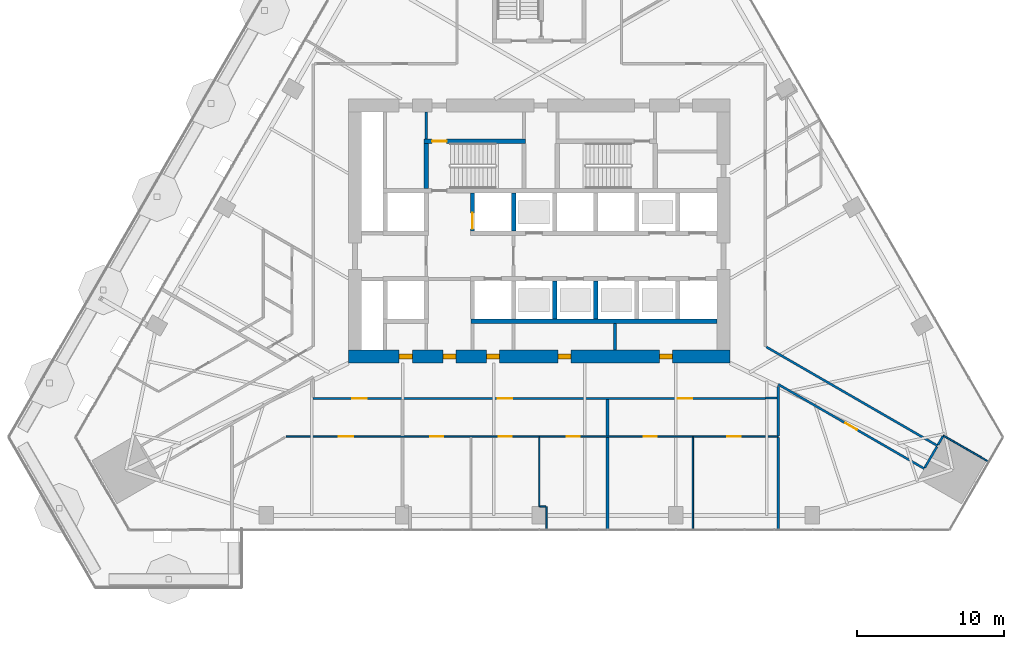
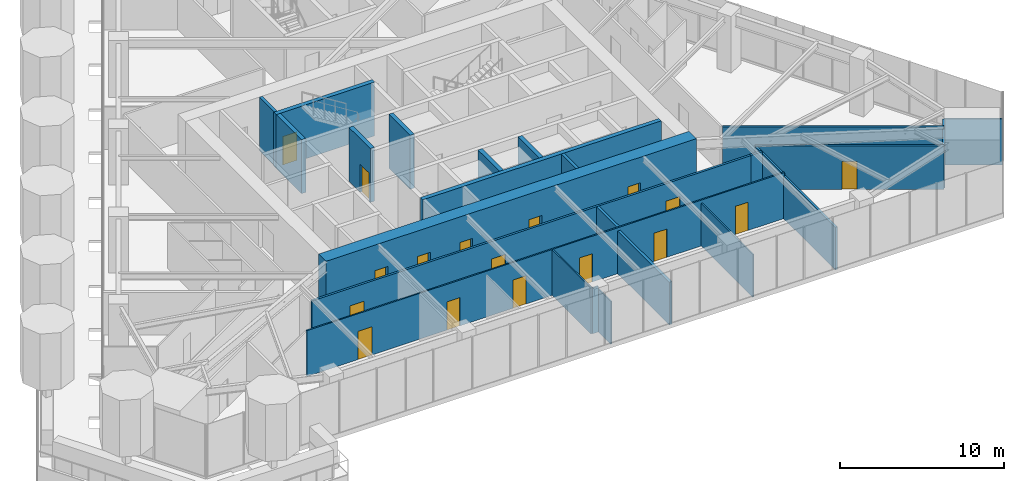
# One storey, part 18 of 25: 26 walls, 17 doors, 17 openings.
"""IFC4 building model written with IfcOpenShell, lengths in metres."""

from ifc_helpers import new_model, si_unit, direction, frame, frame_2d, origin, place, context, subcontext, project, spatial, rectangle, extrude, material, layer, layer_set, type_object, element, fill, save


model = new_model("IFC4")

# Units and contexts
model_context = context("Model", 3, precision=1e-05, world=origin(), true_north=direction((0.0, 1.0)))
body_context = subcontext(model_context, "Body", "Model", "MODEL_VIEW")
ifc_project = project(units=[si_unit("LENGTHUNIT", "METRE"), si_unit("AREAUNIT", "SQUARE_METRE"), si_unit("VOLUMEUNIT", "CUBIC_METRE"), si_unit("PLANEANGLEUNIT", "RADIAN"), si_unit("MASSUNIT", "GRAM", prefix="KILO")], contexts=[model_context])

# Site, building, storey
site_placement = place(None, origin())
site = spatial("IfcSite", under=ifc_project, at=site_placement, CompositionType="ELEMENT")
building_placement = place(site_placement, origin())
building = spatial("IfcBuilding", under=site, at=building_placement, Name="Firuza Gate Tower and Library", CompositionType="ELEMENT")
storey_placement = place(building_placement, frame((0.0, 0.0, 119.800048828125)))
storey = spatial("IfcBuildingStorey", under=building, at=storey_placement, Name="L27", CompositionType="ELEMENT", Elevation=119.800048828125)

# Walls
ifc_material_1 = material(Name="Plasterboard on steel studs", Category="steel")
ifc_layer_1 = layer(ifc_material_1, 0.199951171875)
ifc_layer_set_1 = layer_set([ifc_layer_1], Name="Core partition 200 EI 120")
wall_type_1 = type_object("IfcWallType", Name="Core partition 200 EI 120", PredefinedType="PARTITIONING", material=ifc_layer_set_1)
wall_1_placement = place(storey_placement, frame((80.175048828125, 66.89990234375, 0.0), z_axis=(0.0, 0.0, 1.0), x_axis=(0.0, 1.0, 0.0)))
element("IfcWall", 1, at=wall_1_placement, inside=storey, type_object=wall_type_1, Name="Core partition L27 15", PredefinedType="PARTITIONING", context=body_context, shape_type="SweptSolid", body=[
    extrude(rectangle(XDim=1.800048828125, YDim=0.199951171875, at=frame_2d((0.89990234375, 0.0))), origin(), (0.0, 0.0, 1.0), 4.0),
])
ifc_material_2 = material(Name="Plasterboard on steel studs", Category="steel")
ifc_layer_2 = layer(ifc_material_2, 0.199951171875)
ifc_layer_set_2 = layer_set([ifc_layer_2], Name="Core partition 200 EI 60")
wall_type_2 = type_object("IfcWallType", Name="Core partition 200 EI 60", PredefinedType="PARTITIONING", material=ifc_layer_set_2)
wall_2_placement = place(storey_placement, frame((67.300048828125, 81.280029296875, 0.0), z_axis=(0.0, 0.0, 1.0), x_axis=(0.0, 1.0, 0.0)))
element("IfcWall", 2, at=wall_2_placement, inside=storey, type_object=wall_type_2, Name="Core partition L27 9", PredefinedType="PARTITIONING", context=body_context, shape_type="SweptSolid", body=[
    extrude(rectangle(XDim=1.820068359375, YDim=0.199951171875, at=frame_2d((0.91015625, 0.0))), origin(), (0.0, 0.0, 1.0), 4.0),
])
ifc_material_3 = material(Name="Concrete C80/95", Category="concrete")
ifc_layer_3 = layer(ifc_material_3, 0.300048828125)
ifc_layer_set_3 = layer_set([ifc_layer_3], Name="Core wall 300 C80/95")
wall_type_3 = type_object("IfcWallType", Name="Core wall 300 C80/95", PredefinedType="SHEAR", material=ifc_layer_set_3)
wall_3_placement = place(storey_placement, frame((70.35009765625, 68.85009765625, 0.0), z_axis=(0.0, 0.0, 1.0), x_axis=(1.0, 0.0, 0.0)))
element("IfcWall", 3, at=wall_3_placement, inside=storey, type_object=wall_type_3, Name="Core wall L27 6", PredefinedType="SHEAR", context=body_context, shape_type="SweptSolid", body=[
    extrude(rectangle(XDim=16.75, YDim=0.300048828125, at=frame_2d((8.375, 0.0))), origin(), (0.0, 0.0, 1.0), 4.0),
])

# Wall, opening, door
wall_4_placement = place(storey_placement, frame((70.449951171875, 75.0, 0.0), z_axis=(0.0, 0.0, 1.0), x_axis=(0.0, 1.0, 0.0)))
wall_4 = element("IfcWall", 4, at=wall_4_placement, inside=storey, type_object=wall_type_3, Name="Core wall L27 16", PredefinedType="SHEAR", context=body_context, shape_type="SweptSolid", body=[
    extrude(rectangle(XDim=2.60009765625, YDim=0.300048828125, at=frame_2d((1.300048828125, 0.0))), origin(), (0.0, 0.0, 1.0), 4.0),
])
opening_1_placement = place(wall_4_placement, frame((0.14990234375, 0.0, 0.0)))
opening_1 = element("IfcOpeningElement", 5, at=opening_1_placement, cuts=wall_4, Name="Opening LD-FF2-L27", PredefinedType="OPENING", context=body_context, shape_type="SweptSolid", body=[
    extrude(rectangle(XDim=1.10009765625, YDim=2.10009765625, at=frame_2d((0.550048828125, 1.050048828125))), frame((0.0, 0.16015625, 0.0), z_axis=(0.0, -1.0, 0.0), x_axis=(1.0, 0.0, 0.0)), (0.0, 0.0, 1.0), 0.320068359375),
])
ifc_material_4 = material(Name="Stainless steel", Category="steel")
door_type_1 = type_object("IfcDoorType", Name="Lift landing door 1100x2100", OperationType="DOUBLE_DOOR_SLIDING", PredefinedType="DOOR", material=ifc_material_4)
door_1_placement = place(opening_1_placement, origin())
door_1 = element("IfcDoor", 6, at=door_1_placement, inside=storey, type_object=door_type_1, Name="Landing door FF2 L27", OperationType="DOUBLE_DOOR_SLIDING", OverallHeight=2.10009765625, OverallWidth=1.10009765625, PredefinedType="DOOR", context=body_context, shape_type="SweptSolid", body=[
    extrude(rectangle(XDim=1.10009765625, YDim=2.10009765625, at=frame_2d((0.550048828125, 1.050048828125))), frame((0.0, 0.02490234375, 0.0), z_axis=(0.0, -1.0, 0.0), x_axis=(1.0, 0.0, 0.0)), (0.0, 0.0, 1.0), 0.050048828125),
])
fill(opening_1, door_1)

# Walls
for number, where, z_axis, x_axis, name in (
    (7, (73.25, 75.0, 0.0), (0.0, 0.0, 1.0), (0.0, 1.0, 0.0), "Core wall L27 18"),
    (8, (76.050048828125, 69.0, 0.0), (0.0, 0.0, 1.0), (0.0, 1.0, 0.0), "Core wall L27 19"),
    (9, (78.85009765625, 69.0, 0.0), (0.0, 0.0, 1.0), (0.0, 1.0, 0.0), "Core wall L27 21"),
):
    element("IfcWall", number, at=place(storey_placement, frame(where, z_axis=z_axis, x_axis=x_axis)), inside=storey, type_object=wall_type_3, Name=name, PredefinedType="SHEAR", context=body_context, shape_type="SweptSolid", body=[
        extrude(rectangle(XDim=2.60009765625, YDim=0.300048828125, at=frame_2d((1.300048828125, 0.0))), origin(), (0.0, 0.0, 1.0), 4.0),
    ])

# Wall, opening, door
wall_5_placement = place(storey_placement, frame((67.14990234375, 81.1298828125, 0.0), z_axis=(0.0, 0.0, 1.0), x_axis=(1.0, 0.0, 0.0)))
wall_5 = element("IfcWall", 10, at=wall_5_placement, inside=storey, type_object=wall_type_3, Name="Core wall L27 28", PredefinedType="SHEAR", context=body_context, shape_type="SweptSolid", body=[
    extrude(rectangle(XDim=6.91015625, YDim=0.300048828125, at=frame_2d((3.455078125, 0.0))), origin(), (0.0, 0.0, 1.0), 4.0),
])
opening_2_placement = place(wall_5_placement, frame((0.544921875, 0.0, 0.0)))
opening_2 = element("IfcOpeningElement", 11, at=opening_2_placement, cuts=wall_5, Name="Opening L27-K13", PredefinedType="OPENING", context=body_context, shape_type="SweptSolid", body=[
    extrude(rectangle(XDim=1.0, YDim=2.10009765625, at=frame_2d((0.5, 1.050048828125))), frame((0.0, 0.16015625, 0.0), z_axis=(0.0, -1.0, 0.0), x_axis=(1.0, 0.0, 0.0)), (0.0, 0.0, 1.0), 0.320068359375),
])
ifc_material_5 = material(Name="Steel", Category="steel")
door_type_2 = type_object("IfcDoorType", Name="Fire door 1000x2100 FD90", OperationType="NOTDEFINED", PredefinedType="DOOR", material=ifc_material_5)
door_2_placement = place(opening_2_placement, origin())
door_2 = element("IfcDoor", 12, at=door_2_placement, inside=storey, type_object=door_type_2, Name="Door L27-K13", OperationType="SINGLE_SWING_RIGHT", OverallHeight=2.10009765625, OverallWidth=1.0, PredefinedType="DOOR", context=body_context, shape_type="SweptSolid", body=[
    extrude(rectangle(XDim=1.0, YDim=2.10009765625, at=frame_2d((0.5, 1.050048828125))), frame((0.0, 0.02490234375, 0.0), z_axis=(0.0, -1.0, 0.0), x_axis=(1.0, 0.0, 0.0)), (0.0, 0.0, 1.0), 0.050048828125),
])
fill(opening_2, door_2)

# Wall
wall_6_placement = place(storey_placement, frame((67.300048828125, 77.89990234375, 0.0), z_axis=(0.0, 0.0, 1.0), x_axis=(0.0, 1.0, 0.0)))
element("IfcWall", 13, at=wall_6_placement, inside=storey, type_object=wall_type_3, Name="Core wall L27 30", PredefinedType="SHEAR", context=body_context, shape_type="SweptSolid", body=[
    extrude(rectangle(XDim=3.080078125, YDim=0.300048828125, at=frame_2d((1.5400390625, 0.0))), origin(), (0.0, 0.0, 1.0), 4.0),
])

# Wall, openings, doors
ifc_material_6 = material(Name="Concrete C80/95", Category="concrete")
ifc_layer_4 = layer(ifc_material_6, 0.89990234375)
ifc_layer_set_4 = layer_set([ifc_layer_4], Name="Core wall 900 C80/95")
wall_type_4 = type_object("IfcWallType", Name="Core wall 900 C80/95", PredefinedType="SHEAR", material=ifc_layer_set_4)
wall_7_placement = place(storey_placement, frame((62.0, 66.449951171875, 0.0), z_axis=(0.0, 0.0, 1.0), x_axis=(1.0, 0.0, 0.0)))
wall_7 = element("IfcWall", 14, at=wall_7_placement, inside=storey, type_object=wall_type_4, Name="Core wall L27 1", PredefinedType="SHEAR", context=body_context, shape_type="SweptSolid", body=[
    extrude(rectangle(XDim=26.0, YDim=0.89990234375, at=frame_2d((13.0, 0.0))), origin(), (0.0, 0.0, 1.0), 4.0),
])
opening_3_placement = place(wall_7_placement, frame((3.449951171875, 0.0, 0.0)))
opening_3 = element("IfcOpeningElement", 15, at=opening_3_placement, cuts=wall_7, Name="Opening L27-K24", PredefinedType="OPENING", context=body_context, shape_type="SweptSolid", body=[
    extrude(rectangle(XDim=0.89990234375, YDim=2.10009765625, at=frame_2d((0.449951171875, 1.050048828125))), frame((0.0, 0.4599609375, 0.0), z_axis=(0.0, -1.0, 0.0), x_axis=(1.0, 0.0, 0.0)), (0.0, 0.0, 1.0), 0.919921875),
])
opening_4_placement = place(wall_7_placement, frame((6.425048828125, 0.0, 0.0)))
opening_4 = element("IfcOpeningElement", 16, at=opening_4_placement, cuts=wall_7, Name="Opening L27-K25", PredefinedType="OPENING", context=body_context, shape_type="SweptSolid", body=[
    extrude(rectangle(XDim=0.89990234375, YDim=2.10009765625, at=frame_2d((0.449951171875, 1.050048828125))), frame((0.0, 0.4599609375, 0.0), z_axis=(0.0, -1.0, 0.0), x_axis=(1.0, 0.0, 0.0)), (0.0, 0.0, 1.0), 0.919921875),
])
opening_5_placement = place(wall_7_placement, frame((9.39990234375, 0.0, 0.0)))
opening_5 = element("IfcOpeningElement", 17, at=opening_5_placement, cuts=wall_7, Name="Opening L27-K26", PredefinedType="OPENING", context=body_context, shape_type="SweptSolid", body=[
    extrude(rectangle(XDim=0.89990234375, YDim=2.10009765625, at=frame_2d((0.449951171875, 1.050048828125))), frame((0.0, 0.4599609375, 0.0), z_axis=(0.0, -1.0, 0.0), x_axis=(1.0, 0.0, 0.0)), (0.0, 0.0, 1.0), 0.919921875),
])
opening_6_placement = place(wall_7_placement, frame((14.262451171875, 0.0, 0.0)))
opening_6 = element("IfcOpeningElement", 18, at=opening_6_placement, cuts=wall_7, Name="Opening L27-K27", PredefinedType="OPENING", context=body_context, shape_type="SweptSolid", body=[
    extrude(rectangle(XDim=0.89990234375, YDim=2.10009765625, at=frame_2d((0.449951171875, 1.050048828125))), frame((0.0, 0.4599609375, 0.0), z_axis=(0.0, -1.0, 0.0), x_axis=(1.0, 0.0, 0.0)), (0.0, 0.0, 1.0), 0.919921875),
])
opening_7_placement = place(wall_7_placement, frame((21.1875, 0.0, 0.0)))
opening_7 = element("IfcOpeningElement", 19, at=opening_7_placement, cuts=wall_7, Name="Opening L27-K28", PredefinedType="OPENING", context=body_context, shape_type="SweptSolid", body=[
    extrude(rectangle(XDim=0.89990234375, YDim=2.10009765625, at=frame_2d((0.449951171875, 1.050048828125))), frame((0.0, 0.4599609375, 0.0), z_axis=(0.0, -1.0, 0.0), x_axis=(1.0, 0.0, 0.0)), (0.0, 0.0, 1.0), 0.919921875),
])
ifc_material_7 = material(Name="Steel", Category="steel")
door_type_3 = type_object("IfcDoorType", Name="Fire door 900x2100 FD30S", OperationType="NOTDEFINED", PredefinedType="DOOR", material=ifc_material_7)
door_3_placement = place(opening_3_placement, origin())
door_3 = element("IfcDoor", 20, at=door_3_placement, inside=storey, type_object=door_type_3, Name="Door L27-K24", OperationType="SINGLE_SWING_LEFT", OverallHeight=2.10009765625, OverallWidth=0.89990234375, PredefinedType="DOOR", context=body_context, shape_type="SweptSolid", body=[
    extrude(rectangle(XDim=0.89990234375, YDim=2.10009765625, at=frame_2d((0.449951171875, 1.050048828125))), frame((0.0, 0.169921875, 0.0), z_axis=(0.0, -1.0, 0.0), x_axis=(1.0, 0.0, 0.0)), (0.0, 0.0, 1.0), 0.33984375),
])
fill(opening_3, door_3)
door_4_placement = place(opening_4_placement, origin())
door_4 = element("IfcDoor", 21, at=door_4_placement, inside=storey, type_object=door_type_3, Name="Door L27-K25", OperationType="SINGLE_SWING_RIGHT", OverallHeight=2.10009765625, OverallWidth=0.89990234375, PredefinedType="DOOR", context=body_context, shape_type="SweptSolid", body=[
    extrude(rectangle(XDim=0.89990234375, YDim=2.10009765625, at=frame_2d((0.449951171875, 1.050048828125))), frame((0.0, 0.169921875, 0.0), z_axis=(0.0, -1.0, 0.0), x_axis=(1.0, 0.0, 0.0)), (0.0, 0.0, 1.0), 0.33984375),
])
fill(opening_4, door_4)
door_5_placement = place(opening_5_placement, origin())
door_5 = element("IfcDoor", 22, at=door_5_placement, inside=storey, type_object=door_type_3, Name="Door L27-K26", OperationType="SINGLE_SWING_LEFT", OverallHeight=2.10009765625, OverallWidth=0.89990234375, PredefinedType="DOOR", context=body_context, shape_type="SweptSolid", body=[
    extrude(rectangle(XDim=0.89990234375, YDim=2.10009765625, at=frame_2d((0.449951171875, 1.050048828125))), frame((0.0, 0.169921875, 0.0), z_axis=(0.0, -1.0, 0.0), x_axis=(1.0, 0.0, 0.0)), (0.0, 0.0, 1.0), 0.33984375),
])
fill(opening_5, door_5)
door_6_placement = place(opening_6_placement, origin())
door_6 = element("IfcDoor", 23, at=door_6_placement, inside=storey, type_object=door_type_3, Name="Door L27-K27", OperationType="SINGLE_SWING_RIGHT", OverallHeight=2.10009765625, OverallWidth=0.89990234375, PredefinedType="DOOR", context=body_context, shape_type="SweptSolid", body=[
    extrude(rectangle(XDim=0.89990234375, YDim=2.10009765625, at=frame_2d((0.449951171875, 1.050048828125))), frame((0.0, 0.169921875, 0.0), z_axis=(0.0, -1.0, 0.0), x_axis=(1.0, 0.0, 0.0)), (0.0, 0.0, 1.0), 0.33984375),
])
fill(opening_6, door_6)
door_7_placement = place(opening_7_placement, origin())
door_7 = element("IfcDoor", 24, at=door_7_placement, inside=storey, type_object=door_type_3, Name="Door L27-K28", OperationType="SINGLE_SWING_LEFT", OverallHeight=2.10009765625, OverallWidth=0.89990234375, PredefinedType="DOOR", context=body_context, shape_type="SweptSolid", body=[
    extrude(rectangle(XDim=0.89990234375, YDim=2.10009765625, at=frame_2d((0.449951171875, 1.050048828125))), frame((0.0, 0.169921875, 0.0), z_axis=(0.0, -1.0, 0.0), x_axis=(1.0, 0.0, 0.0)), (0.0, 0.0, 1.0), 0.33984375),
])
fill(opening_7, door_7)

ifc_material_8 = material(Name="Gypsum board partition")
ifc_layer_5 = layer(ifc_material_8, 0.14990234375)
ifc_layer_set_5 = layer_set([ifc_layer_5], Name="Corridor wall 150 double board on steel studs")
wall_type_5 = type_object("IfcWallType", Name="Corridor wall 150 double board on steel studs", PredefinedType="PARTITIONING", material=ifc_layer_set_5)
wall_8_placement = place(storey_placement, frame((90.3994140625, 63.60009765625, 0.0), z_axis=(0.0, 0.0, 1.0), x_axis=(-1.0, 0.0, 0.0)))
wall_8 = element("IfcWall", 25, at=wall_8_placement, inside=storey, type_object=wall_type_5, Name="f:L27:w003", PredefinedType="PARTITIONING", context=body_context, shape_type="SweptSolid", body=[
    extrude(rectangle(XDim=30.79931640625, YDim=0.14990234375, at=frame_2d((15.399658203125, 0.0))), origin(), (0.0, 0.0, 1.0), 3.39990234375),
])
opening_8_placement = place(wall_8_placement, frame((4.97509765625, 0.0, 0.0)))
opening_8 = element("IfcOpeningElement", 26, at=opening_8_placement, cuts=wall_8, Name="Opening L27-07", PredefinedType="OPENING", context=body_context, shape_type="SweptSolid", body=[
    extrude(rectangle(XDim=1.0, YDim=2.10009765625, at=frame_2d((0.5, 1.050048828125))), frame((0.0, 0.0849609375, 0.0), z_axis=(0.0, -1.0, 0.0), x_axis=(1.0, 0.0, 0.0)), (0.0, 0.0, 1.0), 0.169921875),
])
opening_9_placement = place(wall_8_placement, frame((17.225830078125, 0.0, 0.0)))
opening_9 = element("IfcOpeningElement", 27, at=opening_9_placement, cuts=wall_8, Name="Opening L27-08", PredefinedType="OPENING", context=body_context, shape_type="SweptSolid", body=[
    extrude(rectangle(XDim=1.0, YDim=2.10009765625, at=frame_2d((0.5, 1.050048828125))), frame((0.0, 0.0849609375, 0.0), z_axis=(0.0, -1.0, 0.0), x_axis=(1.0, 0.0, 0.0)), (0.0, 0.0, 1.0), 0.169921875),
])
opening_10_placement = place(wall_8_placement, frame((27.150634765625, 0.0, 0.0)))
opening_10 = element("IfcOpeningElement", 28, at=opening_10_placement, cuts=wall_8, Name="Opening L27-09", PredefinedType="OPENING", context=body_context, shape_type="SweptSolid", body=[
    extrude(rectangle(XDim=1.0, YDim=2.10009765625, at=frame_2d((0.5, 1.050048828125))), frame((0.0, 0.0849609375, 0.0), z_axis=(0.0, -1.0, 0.0), x_axis=(1.0, 0.0, 0.0)), (0.0, 0.0, 1.0), 0.169921875),
])
ifc_material_9 = material(Name="Steel door and timber leaf", Category="steel")
door_type_4 = type_object("IfcDoorType", Name="Fire door 1000 x 2100 steel frame, timber leaf", OperationType="NOTDEFINED", PredefinedType="DOOR", material=ifc_material_9)
door_8_placement = place(opening_8_placement, origin())
door_8 = element("IfcDoor", 29, at=door_8_placement, inside=storey, type_object=door_type_4, Name="f:L27:d007", OperationType="SINGLE_SWING_RIGHT", OverallHeight=2.10009765625, OverallWidth=1.0, PredefinedType="DOOR", context=body_context, shape_type="SweptSolid", body=[
    extrude(rectangle(XDim=1.0, YDim=2.10009765625, at=frame_2d((0.5, 1.050048828125))), frame((0.0, 0.02490234375, 0.0), z_axis=(0.0, -1.0, 0.0), x_axis=(1.0, 0.0, 0.0)), (0.0, 0.0, 1.0), 0.050048828125),
])
fill(opening_8, door_8)
door_9_placement = place(opening_9_placement, origin())
door_9 = element("IfcDoor", 30, at=door_9_placement, inside=storey, type_object=door_type_4, Name="f:L27:d008", OperationType="SINGLE_SWING_RIGHT", OverallHeight=2.10009765625, OverallWidth=1.0, PredefinedType="DOOR", context=body_context, shape_type="SweptSolid", body=[
    extrude(rectangle(XDim=1.0, YDim=2.10009765625, at=frame_2d((0.5, 1.050048828125))), frame((0.0, 0.02490234375, 0.0), z_axis=(0.0, -1.0, 0.0), x_axis=(1.0, 0.0, 0.0)), (0.0, 0.0, 1.0), 0.050048828125),
])
fill(opening_9, door_9)
door_10_placement = place(opening_10_placement, origin())
door_10 = element("IfcDoor", 31, at=door_10_placement, inside=storey, type_object=door_type_4, Name="f:L27:d009", OperationType="SINGLE_SWING_LEFT", OverallHeight=2.10009765625, OverallWidth=1.0, PredefinedType="DOOR", context=body_context, shape_type="SweptSolid", body=[
    extrude(rectangle(XDim=1.0, YDim=2.10009765625, at=frame_2d((0.5, 1.050048828125))), frame((0.0, 0.02490234375, 0.0), z_axis=(0.0, -1.0, 0.0), x_axis=(1.0, 0.0, 0.0)), (0.0, 0.0, 1.0), 0.050048828125),
])
fill(opening_10, door_10)

# Walls
wall_9_placement = place(storey_placement, frame((90.39990234375, 63.618896484375, 0.0), z_axis=(0.0, 0.0, 1.0), x_axis=(1.0, 0.0, 0.0)))
element("IfcWall", 32, at=wall_9_placement, inside=storey, type_object=wall_type_5, Name="f:L27:w004", PredefinedType="PARTITIONING", context=body_context, shape_type="SweptSolid", body=[
    extrude(rectangle(XDim=0.808837890625, YDim=0.14990234375, at=frame_2d((0.404296875, 0.0))), origin(), (0.0, 0.0, 1.0), 3.39990234375),
])
wall_10_placement = place(storey_placement, frame((101.271728515625, 58.8798828125, 0.0), z_axis=(0.0, 0.0, 1.0), x_axis=(0.500038426333, 0.866003217194, 0.0)))
element("IfcWall", 33, at=wall_10_placement, inside=storey, type_object=wall_type_5, Name="f:L27:w025", PredefinedType="PARTITIONING", context=body_context, shape_type="SweptSolid", body=[
    extrude(rectangle(XDim=1.649658203125, YDim=0.14990234375, at=frame_2d((0.82470703125, 0.0))), origin(), (0.0, 0.0, 1.0), 3.2470703125),
])
wall_11_placement = place(storey_placement, frame((91.283935546875, 54.666259765625, 0.0), z_axis=(0.0, 0.0, 1.0), x_axis=(0.0, 1.0, 0.0)))
element("IfcWall", 34, at=wall_11_placement, inside=storey, type_object=wall_type_5, Name="f:L27:w028", PredefinedType="PARTITIONING", context=body_context, shape_type="SweptSolid", body=[
    extrude(rectangle(XDim=6.28369140625, YDim=0.14990234375, at=frame_2d((3.141845703125, 0.0))), origin(), (0.0, 0.0, 1.0), 3.1650390625),
])
wall_12_placement = place(storey_placement, frame((102.134033203125, 60.37353515625, 0.0), z_axis=(0.0, 0.0, 1.0), x_axis=(-0.86602824724, 0.499995074959, 0.0)))
element("IfcWall", 35, at=wall_12_placement, inside=storey, type_object=wall_type_5, Name="f:L27:w054", PredefinedType="PARTITIONING", context=body_context, shape_type="SweptSolid", body=[
    extrude(rectangle(XDim=13.462646484375, YDim=0.14990234375, at=frame_2d((6.7314453125, 0.0))), origin(), (0.0, 0.0, 1.0), 3.39990234375),
])

# Wall, opening, door
wall_13_placement = place(storey_placement, frame((101.233642578125, 58.81494140625, 0.0), z_axis=(0.0, 0.0, 1.0), x_axis=(-0.866028466704, 0.49999469483, 0.0)))
wall_13 = element("IfcWall", 36, at=wall_13_placement, inside=storey, type_object=wall_type_5, Name="f:L27:w055", PredefinedType="PARTITIONING", context=body_context, shape_type="SweptSolid", body=[
    extrude(rectangle(XDim=11.48876953125, YDim=0.14990234375, at=frame_2d((5.744384765625, 0.0))), origin(), (0.0, 0.0, 1.0), 3.2470703125),
])
opening_11_placement = place(wall_13_placement, frame((5.29443359375, 0.0, 0.0)))
opening_11 = element("IfcOpeningElement", 37, at=opening_11_placement, cuts=wall_13, Name="Opening L27-27", PredefinedType="OPENING", context=body_context, shape_type="SweptSolid", body=[
    extrude(rectangle(XDim=0.89990234375, YDim=2.10009765625, at=frame_2d((0.449951171875, 1.050048828125))), frame((0.0, 0.0849609375, 0.0), z_axis=(0.0, -1.0, 0.0), x_axis=(1.0, 0.0, 0.0)), (0.0, 0.0, 1.0), 0.169921875),
])
ifc_material_10 = material(Name="Steel door and timber leaf", Category="steel")
door_type_5 = type_object("IfcDoorType", Name="Fire door 900 x 2100 steel frame, timber leaf", OperationType="NOTDEFINED", PredefinedType="DOOR", material=ifc_material_10)
door_11_placement = place(opening_11_placement, origin())
door_11 = element("IfcDoor", 38, at=door_11_placement, inside=storey, type_object=door_type_5, Name="f:L27:d027", OperationType="SINGLE_SWING_RIGHT", OverallHeight=2.10009765625, OverallWidth=0.89990234375, PredefinedType="DOOR", context=body_context, shape_type="SweptSolid", body=[
    extrude(rectangle(XDim=0.89990234375, YDim=2.10009765625, at=frame_2d((0.449951171875, 1.050048828125))), frame((0.0, 0.02490234375, 0.0), z_axis=(0.0, -1.0, 0.0), x_axis=(1.0, 0.0, 0.0)), (0.0, 0.0, 1.0), 0.050048828125),
])
fill(opening_11, door_11)

# Walls
wall_14_placement = place(storey_placement, frame((91.283935546875, 61.050048828125, 0.0), z_axis=(0.0, 0.0, 1.0), x_axis=(0.0, 1.0, 0.0)))
element("IfcWall", 39, at=wall_14_placement, inside=storey, type_object=wall_type_5, Name="f:L27:w061", PredefinedType="PARTITIONING", context=body_context, shape_type="SweptSolid", body=[
    extrude(rectangle(XDim=3.37255859375, YDim=0.14990234375, at=frame_2d((1.686279296875, 0.0))), origin(), (0.0, 0.0, 1.0), 3.2470703125),
])
wall_15_placement = place(storey_placement, frame((102.171630859375, 60.4384765625, 0.0), z_axis=(0.0, 0.0, 1.0), x_axis=(0.499994068514, 0.866028828302, 0.0)))
element("IfcWall", 40, at=wall_15_placement, inside=storey, type_object=wall_type_5, Name="f:L27:w065", PredefinedType="PARTITIONING", context=body_context, shape_type="SweptSolid", body=[
    extrude(rectangle(XDim=0.67431640625, YDim=0.14990234375, at=frame_2d((0.337158203125, 0.0))), origin(), (0.0, 0.0, 1.0), 3.39990234375),
])
ifc_material_11 = material(Name="Gypsum board partition")
ifc_layer_6 = layer(ifc_material_11, 0.199951171875)
ifc_layer_set_6 = layer_set([ifc_layer_6], Name="Demising wall 200 acoustic double stud")
wall_type_6 = type_object("IfcWallType", Name="Demising wall 200 acoustic double stud", PredefinedType="PARTITIONING", material=ifc_layer_set_6)
wall_16_placement = place(storey_placement, frame((79.653076171875, 54.666259765625, 0.0), z_axis=(0.0, 0.0, 1.0), x_axis=(0.0, 1.0, 0.0)))
element("IfcWall", 41, at=wall_16_placement, inside=storey, type_object=wall_type_6, Name="f:L27:w032", PredefinedType="PARTITIONING", context=body_context, shape_type="SweptSolid", body=[
    extrude(rectangle(XDim=6.28369140625, YDim=0.199951171875, at=frame_2d((3.141845703125, 0.0))), origin(), (0.0, 0.0, 1.0), 3.1650390625),
])
wall_17_placement = place(storey_placement, frame((79.653076171875, 61.050048828125, 0.0), z_axis=(0.0, 0.0, 1.0), x_axis=(0.0, 1.0, 0.0)))
element("IfcWall", 42, at=wall_17_placement, inside=storey, type_object=wall_type_6, Name="f:L27:w067", PredefinedType="PARTITIONING", context=body_context, shape_type="SweptSolid", body=[
    extrude(rectangle(XDim=2.474853515625, YDim=0.199951171875, at=frame_2d((1.2373046875, 0.0))), origin(), (0.0, 0.0, 1.0), 3.39990234375),
])
ifc_material_12 = material(Name="Gypsum board partition")
ifc_layer_7 = layer(ifc_material_12, 0.10009765625)
ifc_layer_set_7 = layer_set([ifc_layer_7], Name="Partition 100 gypsum board on steel studs")
wall_type_7 = type_object("IfcWallType", Name="Partition 100 gypsum board on steel studs", PredefinedType="PARTITIONING", material=ifc_layer_set_7)
wall_18_placement = place(storey_placement, frame((75.050048828125, 56.22607421875, 0.0), z_axis=(0.0, 0.0, 1.0), x_axis=(1.0, 0.0, 0.0)))
element("IfcWall", 43, at=wall_18_placement, inside=storey, type_object=wall_type_7, Name="f:L27:w001", PredefinedType="PARTITIONING", context=body_context, shape_type="SweptSolid", body=[
    extrude(rectangle(XDim=0.39990234375, YDim=0.10009765625, at=frame_2d((0.199951171875, 0.0))), origin(), (0.0, 0.0, 1.0), 3.39990234375),
])

# Wall, openings, doors
wall_19_placement = place(storey_placement, frame((57.751220703125, 61.0, 0.0), z_axis=(0.0, 0.0, 1.0), x_axis=(1.0, 0.0, 0.0)))
wall_19 = element("IfcWall", 44, at=wall_19_placement, inside=storey, type_object=wall_type_7, Name="f:L27:w002", PredefinedType="PARTITIONING", context=body_context, shape_type="SweptSolid", body=[
    extrude(rectangle(XDim=33.53271484375, YDim=0.10009765625, at=frame_2d((16.766357421875, 0.0))), origin(), (0.0, 0.0, 1.0), 3.39990234375),
])
opening_12_placement = place(wall_19_placement, frame((3.57177734375, 0.0, 0.0)))
opening_12 = element("IfcOpeningElement", 45, at=opening_12_placement, cuts=wall_19, Name="Opening L27-01", PredefinedType="OPENING", context=body_context, shape_type="SweptSolid", body=[
    extrude(rectangle(XDim=1.0, YDim=2.10009765625, at=frame_2d((0.5, 1.050048828125))), frame((0.0, 0.06005859375, 0.0), z_axis=(0.0, -1.0, 0.0), x_axis=(1.0, 0.0, 0.0)), (0.0, 0.0, 1.0), 0.1201171875),
])
opening_13_placement = place(wall_19_placement, frame((9.821533203125, 0.0, 0.0)))
opening_13 = element("IfcOpeningElement", 46, at=opening_13_placement, cuts=wall_19, Name="Opening L27-02", PredefinedType="OPENING", context=body_context, shape_type="SweptSolid", body=[
    extrude(rectangle(XDim=0.89990234375, YDim=2.10009765625, at=frame_2d((0.449951171875, 1.050048828125))), frame((0.0, 0.06005859375, 0.0), z_axis=(0.0, -1.0, 0.0), x_axis=(1.0, 0.0, 0.0)), (0.0, 0.0, 1.0), 0.1201171875),
])
opening_14_placement = place(wall_19_placement, frame((14.472412109375, 0.0, 0.0)))
opening_14 = element("IfcOpeningElement", 47, at=opening_14_placement, cuts=wall_19, Name="Opening L27-03", PredefinedType="OPENING", context=body_context, shape_type="SweptSolid", body=[
    extrude(rectangle(XDim=0.89990234375, YDim=2.10009765625, at=frame_2d((0.449951171875, 1.050048828125))), frame((0.0, 0.06005859375, 0.0), z_axis=(0.0, -1.0, 0.0), x_axis=(1.0, 0.0, 0.0)), (0.0, 0.0, 1.0), 0.1201171875),
])
opening_15_placement = place(wall_19_placement, frame((19.12353515625, 0.0, 0.0)))
opening_15 = element("IfcOpeningElement", 48, at=opening_15_placement, cuts=wall_19, Name="Opening L27-04", PredefinedType="OPENING", context=body_context, shape_type="SweptSolid", body=[
    extrude(rectangle(XDim=0.89990234375, YDim=2.10009765625, at=frame_2d((0.449951171875, 1.050048828125))), frame((0.0, 0.06005859375, 0.0), z_axis=(0.0, -1.0, 0.0), x_axis=(1.0, 0.0, 0.0)), (0.0, 0.0, 1.0), 0.1201171875),
])
opening_16_placement = place(wall_19_placement, frame((24.360595703125, 0.0, 0.0)))
opening_16 = element("IfcOpeningElement", 49, at=opening_16_placement, cuts=wall_19, Name="Opening L27-05", PredefinedType="OPENING", context=body_context, shape_type="SweptSolid", body=[
    extrude(rectangle(XDim=0.89990234375, YDim=2.10009765625, at=frame_2d((0.449951171875, 1.050048828125))), frame((0.0, 0.06005859375, 0.0), z_axis=(0.0, -1.0, 0.0), x_axis=(1.0, 0.0, 0.0)), (0.0, 0.0, 1.0), 0.1201171875),
])
opening_17_placement = place(wall_19_placement, frame((30.0732421875, 0.0, 0.0)))
opening_17 = element("IfcOpeningElement", 50, at=opening_17_placement, cuts=wall_19, Name="Opening L27-06", PredefinedType="OPENING", context=body_context, shape_type="SweptSolid", body=[
    extrude(rectangle(XDim=0.89990234375, YDim=2.10009765625, at=frame_2d((0.449951171875, 1.050048828125))), frame((0.0, 0.06005859375, 0.0), z_axis=(0.0, -1.0, 0.0), x_axis=(1.0, 0.0, 0.0)), (0.0, 0.0, 1.0), 0.1201171875),
])
ifc_material_13 = material(Name="Timber door", Category="wood")
door_type_6 = type_object("IfcDoorType", Name="Door 1000 x 2100 timber leaf", OperationType="NOTDEFINED", PredefinedType="DOOR", material=ifc_material_13)
door_12_placement = place(opening_12_placement, origin())
door_12 = element("IfcDoor", 51, at=door_12_placement, inside=storey, type_object=door_type_6, Name="f:L27:d001", OperationType="SINGLE_SWING_LEFT", OverallHeight=2.10009765625, OverallWidth=1.0, PredefinedType="DOOR", context=body_context, shape_type="SweptSolid", body=[
    extrude(rectangle(XDim=1.0, YDim=2.10009765625, at=frame_2d((0.5, 1.050048828125))), frame((0.0, 0.02490234375, 0.0), z_axis=(0.0, -1.0, 0.0), x_axis=(1.0, 0.0, 0.0)), (0.0, 0.0, 1.0), 0.050048828125),
])
fill(opening_12, door_12)
ifc_material_14 = material(Name="Timber door", Category="wood")
door_type_7 = type_object("IfcDoorType", Name="Door 900 x 2100 timber leaf", OperationType="NOTDEFINED", PredefinedType="DOOR", material=ifc_material_14)
door_13_placement = place(opening_13_placement, origin())
door_13 = element("IfcDoor", 52, at=door_13_placement, inside=storey, type_object=door_type_7, Name="f:L27:d002", OperationType="SINGLE_SWING_RIGHT", OverallHeight=2.10009765625, OverallWidth=0.89990234375, PredefinedType="DOOR", context=body_context, shape_type="SweptSolid", body=[
    extrude(rectangle(XDim=0.89990234375, YDim=2.10009765625, at=frame_2d((0.449951171875, 1.050048828125))), frame((0.0, 0.02490234375, 0.0), z_axis=(0.0, -1.0, 0.0), x_axis=(1.0, 0.0, 0.0)), (0.0, 0.0, 1.0), 0.050048828125),
])
fill(opening_13, door_13)
door_14_placement = place(opening_14_placement, origin())
door_14 = element("IfcDoor", 53, at=door_14_placement, inside=storey, type_object=door_type_7, Name="f:L27:d003", OperationType="SINGLE_SWING_LEFT", OverallHeight=2.10009765625, OverallWidth=0.89990234375, PredefinedType="DOOR", context=body_context, shape_type="SweptSolid", body=[
    extrude(rectangle(XDim=0.89990234375, YDim=2.10009765625, at=frame_2d((0.449951171875, 1.050048828125))), frame((0.0, 0.02490234375, 0.0), z_axis=(0.0, -1.0, 0.0), x_axis=(1.0, 0.0, 0.0)), (0.0, 0.0, 1.0), 0.050048828125),
])
fill(opening_14, door_14)
door_15_placement = place(opening_15_placement, origin())
door_15 = element("IfcDoor", 54, at=door_15_placement, inside=storey, type_object=door_type_7, Name="f:L27:d004", OperationType="SINGLE_SWING_RIGHT", OverallHeight=2.10009765625, OverallWidth=0.89990234375, PredefinedType="DOOR", context=body_context, shape_type="SweptSolid", body=[
    extrude(rectangle(XDim=0.89990234375, YDim=2.10009765625, at=frame_2d((0.449951171875, 1.050048828125))), frame((0.0, 0.02490234375, 0.0), z_axis=(0.0, -1.0, 0.0), x_axis=(1.0, 0.0, 0.0)), (0.0, 0.0, 1.0), 0.050048828125),
])
fill(opening_15, door_15)
door_16_placement = place(opening_16_placement, origin())
door_16 = element("IfcDoor", 55, at=door_16_placement, inside=storey, type_object=door_type_7, Name="f:L27:d005", OperationType="SINGLE_SWING_RIGHT", OverallHeight=2.10009765625, OverallWidth=0.89990234375, PredefinedType="DOOR", context=body_context, shape_type="SweptSolid", body=[
    extrude(rectangle(XDim=0.89990234375, YDim=2.10009765625, at=frame_2d((0.449951171875, 1.050048828125))), frame((0.0, 0.02490234375, 0.0), z_axis=(0.0, -1.0, 0.0), x_axis=(1.0, 0.0, 0.0)), (0.0, 0.0, 1.0), 0.050048828125),
])
fill(opening_16, door_16)
door_17_placement = place(opening_17_placement, origin())
door_17 = element("IfcDoor", 56, at=door_17_placement, inside=storey, type_object=door_type_7, Name="f:L27:d006", OperationType="SINGLE_SWING_LEFT", OverallHeight=2.10009765625, OverallWidth=0.89990234375, PredefinedType="DOOR", context=body_context, shape_type="SweptSolid", body=[
    extrude(rectangle(XDim=0.89990234375, YDim=2.10009765625, at=frame_2d((0.449951171875, 1.050048828125))), frame((0.0, 0.02490234375, 0.0), z_axis=(0.0, -1.0, 0.0), x_axis=(1.0, 0.0, 0.0)), (0.0, 0.0, 1.0), 0.050048828125),
])
fill(opening_17, door_17)

# Walls
wall_20_placement = place(storey_placement, frame((85.468017578125, 54.666259765625, 0.0), z_axis=(0.0, 0.0, 1.0), x_axis=(0.0, 1.0, 0.0)))
element("IfcWall", 57, at=wall_20_placement, inside=storey, type_object=wall_type_7, Name="f:L27:w030", PredefinedType="PARTITIONING", context=body_context, shape_type="SweptSolid", body=[
    extrude(rectangle(XDim=6.28369140625, YDim=0.10009765625, at=frame_2d((3.141845703125, 0.0))), origin(), (0.0, 0.0, 1.0), 3.1650390625),
])
wall_21_placement = place(storey_placement, frame((75.5, 54.666259765625, 0.0), z_axis=(0.0, 0.0, 1.0), x_axis=(0.0, 1.0, 0.0)))
element("IfcWall", 58, at=wall_21_placement, inside=storey, type_object=wall_type_7, Name="f:L27:w035", PredefinedType="PARTITIONING", context=body_context, shape_type="SweptSolid", body=[
    extrude(rectangle(XDim=1.56005859375, YDim=0.10009765625, at=frame_2d((0.780029296875, 0.0))), origin(), (0.0, 0.0, 1.0), 3.1650390625),
])
wall_22_placement = place(storey_placement, frame((75.0, 56.226318359375, 0.0), z_axis=(0.0, 0.0, 1.0), x_axis=(0.0, 1.0, 0.0)))
element("IfcWall", 59, at=wall_22_placement, inside=storey, type_object=wall_type_7, Name="f:L27:w036", PredefinedType="PARTITIONING", context=body_context, shape_type="SweptSolid", body=[
    extrude(rectangle(XDim=4.7236328125, YDim=0.10009765625, at=frame_2d((2.36181640625, 0.0))), origin(), (0.0, 0.0, 1.0), 3.39990234375),
])
wall_23_placement = place(storey_placement, frame((105.6171875, 59.286376953125, 0.0), z_axis=(0.0, 0.0, 1.0), x_axis=(-0.866043951586, 0.49996787289, 0.0)))
element("IfcWall", 60, at=wall_23_placement, inside=storey, type_object=wall_type_7, Name="f:L27:w053", PredefinedType="PARTITIONING", context=body_context, shape_type="SweptSolid", body=[
    extrude(rectangle(XDim=3.559326171875, YDim=0.10009765625, at=frame_2d((1.77978515625, 0.0))), origin(), (0.0, 0.0, 1.0), 3.39990234375),
])

save(model, "model.ifc")
